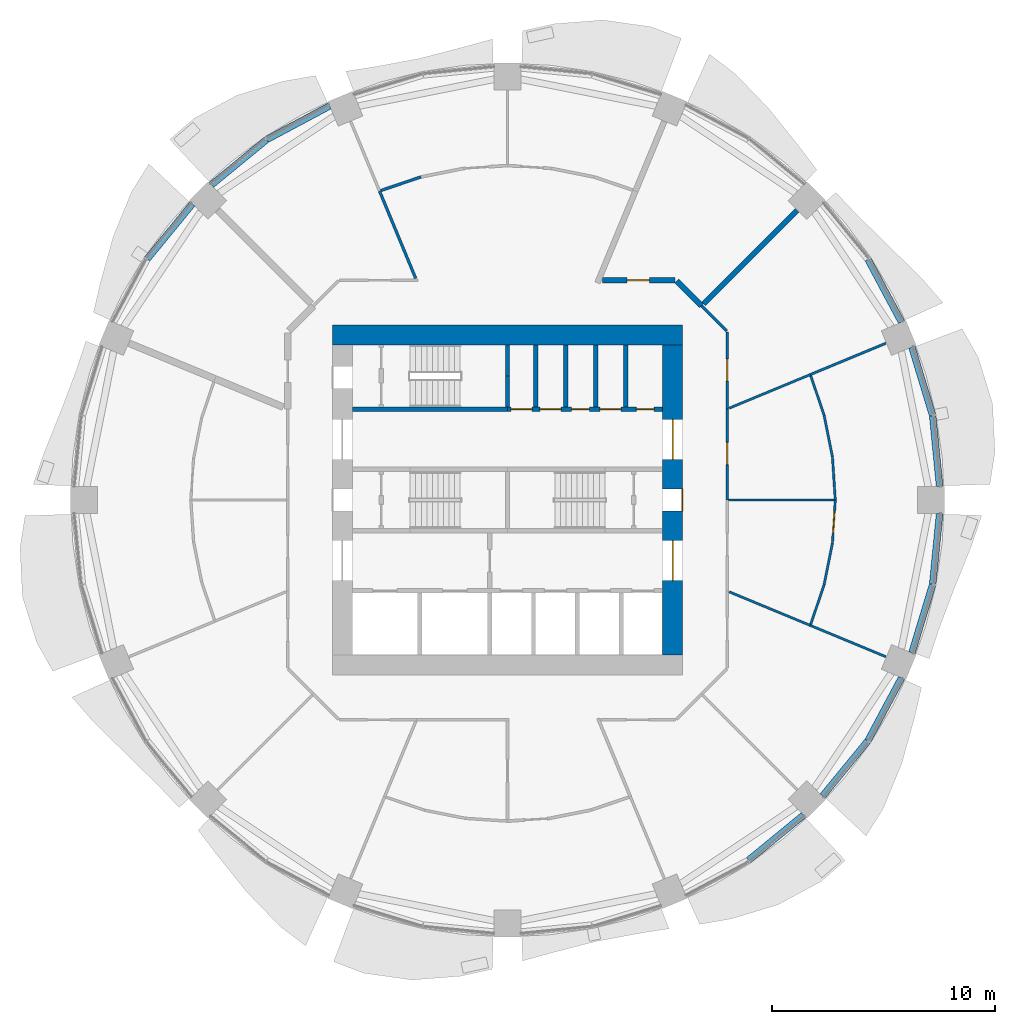
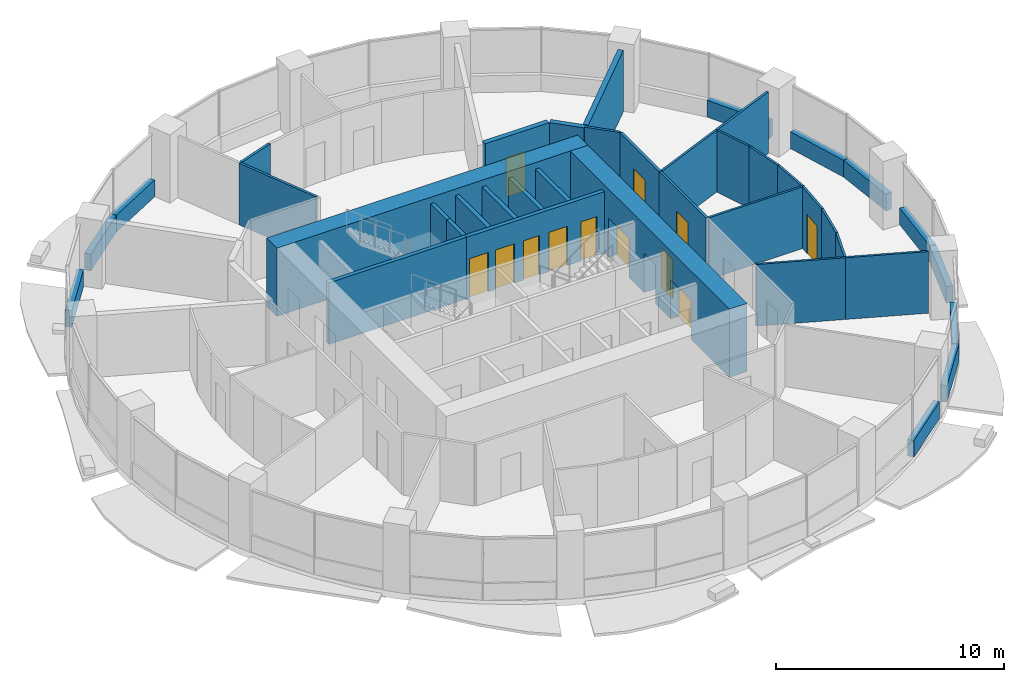
# One storey, part 10 of 15: 40 walls, 12 doors, 12 openings.
"""IFC4 building model written with IfcOpenShell, lengths in metres."""

from ifc_helpers import new_model, si_unit, direction, frame, frame_2d, origin, place, context, subcontext, project, spatial, rectangle, extrude, material, layer, layer_set, type_object, element, fill, save


model = new_model("IFC4")

# Units and contexts
model_context = context("Model", 3, precision=1e-05, world=origin(), true_north=direction((0.0, 1.0)))
body_context = subcontext(model_context, "Body", "Model", "MODEL_VIEW")
ifc_project = project(units=[si_unit("LENGTHUNIT", "METRE"), si_unit("AREAUNIT", "SQUARE_METRE"), si_unit("VOLUMEUNIT", "CUBIC_METRE"), si_unit("PLANEANGLEUNIT", "RADIAN"), si_unit("MASSUNIT", "GRAM", prefix="KILO")], contexts=[model_context])

# Site, building, storey
site_placement = place(None, origin())
site = spatial("IfcSite", under=ifc_project, at=site_placement, CompositionType="ELEMENT")
building_placement = place(site_placement, origin())
building = spatial("IfcBuilding", under=site, at=building_placement, Name="Polderwave Tower", CompositionType="ELEMENT")
storey_placement = place(building_placement, frame((0.0, 0.0, 55.39990234375)))
storey = spatial("IfcBuildingStorey", under=building, at=storey_placement, Name="L14", CompositionType="ELEMENT", Elevation=55.39990234375)

# Wall
ifc_material_1 = material(Name="Concrete C80/95", Category="concrete")
ifc_layer_1 = layer(ifc_material_1, 0.89990234375)
ifc_layer_set_1 = layer_set([ifc_layer_1], Name="CORE WALL 900 C80/95")
wall_type_1 = type_object("IfcWallType", Name="CORE WALL 900 C80/95", PredefinedType="SHEAR", material=ifc_layer_set_1)
wall_1_placement = place(storey_placement, frame((-7.8740234375, 7.424072265625, 0.0), z_axis=(0.0, 0.0, 1.0), x_axis=(1.0, 0.0, 0.0)))
element("IfcWall", 1, at=wall_1_placement, inside=storey, type_object=wall_type_1, Name="ST-CORE-L14-N", PredefinedType="SHEAR", context=body_context, shape_type="SweptSolid", body=[
    extrude(rectangle(XDim=15.748046875, YDim=0.89990234375, at=frame_2d((7.8740234375, 0.0))), origin(), (0.0, 0.0, 1.0), 3.650146484375),
])

# Wall, openings, doors
wall_2_placement = place(storey_placement, frame((7.424072265625, -6.97412109375, 0.0), z_axis=(0.0, 0.0, 1.0), x_axis=(0.0, 1.0, 0.0)))
wall_2 = element("IfcWall", 2, at=wall_2_placement, inside=storey, type_object=wall_type_1, Name="ST-CORE-L14-E", PredefinedType="SHEAR", context=body_context, shape_type="SweptSolid", body=[
    extrude(rectangle(XDim=13.9482421875, YDim=0.89990234375, at=frame_2d((6.97412109375, 0.0))), origin(), (0.0, 0.0, 1.0), 3.650146484375),
])
opening_1_placement = place(wall_2_placement, frame((6.47412109375, 0.0, 0.0)))
opening_1 = element("IfcOpeningElement", 3, at=opening_1_placement, cuts=wall_2, Name="Opening L14-D23", PredefinedType="OPENING", context=body_context, shape_type="SweptSolid", body=[
    extrude(rectangle(XDim=1.0, YDim=2.10009765625, at=frame_2d((0.5, 1.050048828125))), frame((0.0, 0.4599609375, 0.0), z_axis=(0.0, -1.0, 0.0), x_axis=(1.0, 0.0, 0.0)), (0.0, 0.0, 1.0), 0.919921875),
])
opening_2_placement = place(wall_2_placement, frame((3.349609375, 0.0, 0.0)))
opening_2 = element("IfcOpeningElement", 4, at=opening_2_placement, cuts=wall_2, Name="Opening L14-D24", PredefinedType="OPENING", context=body_context, shape_type="SweptSolid", body=[
    extrude(rectangle(XDim=1.800048828125, YDim=2.10009765625, at=frame_2d((0.89990234375, 1.050048828125))), frame((0.0, 0.4599609375, 0.0), z_axis=(0.0, -1.0, 0.0), x_axis=(1.0, 0.0, 0.0)), (0.0, 0.0, 1.0), 0.919921875),
])
opening_3_placement = place(wall_2_placement, frame((8.798583984375, 0.0, 0.0)))
opening_3 = element("IfcOpeningElement", 5, at=opening_3_placement, cuts=wall_2, Name="Opening L14-D25", PredefinedType="OPENING", context=body_context, shape_type="SweptSolid", body=[
    extrude(rectangle(XDim=1.800048828125, YDim=2.10009765625, at=frame_2d((0.89990234375, 1.050048828125))), frame((0.0, 0.4599609375, 0.0), z_axis=(0.0, -1.0, 0.0), x_axis=(1.0, 0.0, 0.0)), (0.0, 0.0, 1.0), 0.919921875),
])
ifc_material_2 = material(Name="Steel fire door", Category="steel")
door_type_1 = type_object("IfcDoorType", Name="Lobby entry door pair 1800", OperationType="DOUBLE_DOOR_SINGLE_SWING", PredefinedType="DOOR", material=ifc_material_2)
door_1_placement = place(opening_2_placement, frame((1.800048828125, 0.0, 0.0), z_axis=(0.0, 0.0, 1.0), x_axis=(-1.0, 0.0, 0.0)))
door_1 = element("IfcDoor", 6, at=door_1_placement, inside=storey, type_object=door_type_1, Name="South lobby entry door", OperationType="DOUBLE_DOOR_SINGLE_SWING", OverallHeight=2.10009765625, OverallWidth=1.800048828125, PredefinedType="DOOR", context=body_context, shape_type="SweptSolid", body=[
    extrude(rectangle(XDim=1.800048828125, YDim=2.10009765625, at=frame_2d((0.89990234375, 1.050048828125))), frame((0.0, 0.02490234375, 0.0), z_axis=(0.0, -1.0, 0.0), x_axis=(1.0, 0.0, 0.0)), (0.0, 0.0, 1.0), 0.050048828125),
])
fill(opening_2, door_1)
door_2_placement = place(opening_3_placement, frame((1.800048828125, 0.0, 0.0), z_axis=(0.0, 0.0, 1.0), x_axis=(-1.0, 0.0, 0.0)))
door_2 = element("IfcDoor", 7, at=door_2_placement, inside=storey, type_object=door_type_1, Name="North lobby entry door", OperationType="DOUBLE_DOOR_SINGLE_SWING", OverallHeight=2.10009765625, OverallWidth=1.800048828125, PredefinedType="DOOR", context=body_context, shape_type="SweptSolid", body=[
    extrude(rectangle(XDim=1.800048828125, YDim=2.10009765625, at=frame_2d((0.89990234375, 1.050048828125))), frame((0.0, 0.02490234375, 0.0), z_axis=(0.0, -1.0, 0.0), x_axis=(1.0, 0.0, 0.0)), (0.0, 0.0, 1.0), 0.050048828125),
])
fill(opening_3, door_2)
door_type_2 = type_object("IfcDoorType", Name="Stair door 1000", OperationType="NOTDEFINED", PredefinedType="DOOR", material=ifc_material_2)
door_3_placement = place(opening_1_placement, frame((1.0, 0.0, 0.0), z_axis=(0.0, 0.0, 1.0), x_axis=(-1.0, 0.0, 0.0)))
door_3 = element("IfcDoor", 8, at=door_3_placement, inside=storey, type_object=door_type_2, Name="Stair B entry door", OperationType="SINGLE_SWING_LEFT", OverallHeight=2.10009765625, OverallWidth=1.0, PredefinedType="DOOR", context=body_context, shape_type="SweptSolid", body=[
    extrude(rectangle(XDim=1.0, YDim=2.10009765625, at=frame_2d((0.5, 1.050048828125))), frame((0.0, 0.4501953125, 0.0), z_axis=(0.0, -1.0, 0.0), x_axis=(1.0, 0.0, 0.0)), (0.0, 0.0, 1.0), 0.050048828125),
])
fill(opening_1, door_3)

# Walls
ifc_material_3 = material(Name="Concrete C50/60 (board-marked)", Category="concrete")
ifc_layer_2 = layer(ifc_material_3, 0.300048828125)
ifc_layer_set_2 = layer_set([ifc_layer_2], Name="Concrete spandrel upstand C50/60")
wall_type_2 = type_object("IfcWallType", Name="Concrete spandrel upstand C50/60", PredefinedType="SOLIDWALL", material=ifc_layer_set_2)
wall_3_placement = place(storey_placement, frame((19.41943359375, 0.61279296875, 0.0), z_axis=(0.0, 0.0, 1.0), x_axis=(-0.097880808755, 0.995198144732, 0.0)))
element("IfcWall", 9, at=wall_3_placement, inside=storey, type_object=wall_type_2, Name="Spandrel L14 1a", PredefinedType="SOLIDWALL", context=body_context, shape_type="SweptSolid", body=[
    extrude(rectangle(XDim=3.187744140625, YDim=0.300048828125, at=frame_2d((1.59375, 0.0))), origin(), (0.0, 0.0, 1.0), 0.900146484375),
])
wall_4_placement = place(storey_placement, frame((19.1015625, 3.814453125, 0.0), z_axis=(0.0, 0.0, 1.0), x_axis=(-0.290585541792, 0.956849017819, 0.0)))
element("IfcWall", 10, at=wall_4_placement, inside=storey, type_object=wall_type_2, Name="Spandrel L14 1b", PredefinedType="SOLIDWALL", context=body_context, shape_type="SweptSolid", body=[
    extrude(rectangle(XDim=3.1875, YDim=0.300048828125, at=frame_2d((1.59375, 0.0))), origin(), (0.0, 0.0, 1.0), 0.900146484375),
])
for number, where, z_axis, x_axis, name in (
    (11, (17.705810546875, 7.998291015625, 0.0), (0.0, 0.0, 1.0), (-0.471260138764, 0.881994263934, 0.0), "Spandrel L14 2a"),
    (12, (-7.998291015625, 17.705810546875, 0.0), (0.0, 0.0, 1.0), (-0.881994263934, -0.471260138764, 0.0), "Spandrel L14 6a"),
):
    element("IfcWall", number, at=place(storey_placement, frame(where, z_axis=z_axis, x_axis=x_axis)), inside=storey, type_object=wall_type_2, Name=name, PredefinedType="SOLIDWALL", context=body_context, shape_type="SweptSolid", body=[
        extrude(rectangle(XDim=3.1865234375, YDim=0.300048828125, at=frame_2d((1.59326171875, 0.0))), origin(), (0.0, 0.0, 1.0), 0.900146484375),
    ])
for number, where, z_axis, x_axis, name in (
    (13, (-10.83349609375, 16.1875, 0.0), (0.0, 0.0, 1.0), (-0.773144618958, -0.634229767652, 0.0), "Spandrel L14 6b"),
    (14, (-14.16552734375, 13.29833984375, 0.0), (0.0, 0.0, 1.0), (-0.634229767652, -0.773144618958, 0.0), "Spandrel L14 7a"),
    (15, (10.83349609375, -16.1875, 0.0), (0.0, 0.0, 1.0), (0.773144618958, 0.634229767652, 0.0), "Spandrel L14 14b"),
    (16, (14.16552734375, -13.29833984375, 0.0), (0.0, 0.0, 1.0), (0.634229767652, 0.773144618958, 0.0), "Spandrel L14 15a"),
):
    element("IfcWall", number, at=place(storey_placement, frame(where, z_axis=z_axis, x_axis=x_axis)), inside=storey, type_object=wall_type_2, Name=name, PredefinedType="SOLIDWALL", context=body_context, shape_type="SweptSolid", body=[
        extrude(rectangle(XDim=3.18798828125, YDim=0.300048828125, at=frame_2d((1.593994140625, 0.0))), origin(), (0.0, 0.0, 1.0), 0.900146484375),
    ])
wall_5_placement = place(storey_placement, frame((16.2041015625, -10.808837890625, 0.0), z_axis=(0.0, 0.0, 1.0), x_axis=(0.471260138764, 0.881994263934, 0.0)))
element("IfcWall", 17, at=wall_5_placement, inside=storey, type_object=wall_type_2, Name="Spandrel L14 15b", PredefinedType="SOLIDWALL", context=body_context, shape_type="SweptSolid", body=[
    extrude(rectangle(XDim=3.1865234375, YDim=0.300048828125, at=frame_2d((1.59326171875, 0.0))), origin(), (0.0, 0.0, 1.0), 0.900146484375),
])
wall_6_placement = place(storey_placement, frame((18.17529296875, -6.864501953125, 0.0), z_axis=(0.0, 0.0, 1.0), x_axis=(0.290585541792, 0.956849017819, 0.0)))
element("IfcWall", 18, at=wall_6_placement, inside=storey, type_object=wall_type_2, Name="Spandrel L14 16a", PredefinedType="SOLIDWALL", context=body_context, shape_type="SweptSolid", body=[
    extrude(rectangle(XDim=3.1875, YDim=0.300048828125, at=frame_2d((1.59375, 0.0))), origin(), (0.0, 0.0, 1.0), 0.900146484375),
])
wall_7_placement = place(storey_placement, frame((19.107421875, -3.78515625, 0.0), z_axis=(0.0, 0.0, 1.0), x_axis=(0.097880808755, 0.995198144732, 0.0)))
element("IfcWall", 19, at=wall_7_placement, inside=storey, type_object=wall_type_2, Name="Spandrel L14 16b", PredefinedType="SOLIDWALL", context=body_context, shape_type="SweptSolid", body=[
    extrude(rectangle(XDim=3.187744140625, YDim=0.300048828125, at=frame_2d((1.59375, 0.0))), origin(), (0.0, 0.0, 1.0), 0.900146484375),
])
ifc_material_4 = material(Name="Gypsum board partition")
ifc_layer_3 = layer(ifc_material_4, 0.199951171875)
ifc_layer_set_3 = layer_set([ifc_layer_3], Name="Core room partition 200")
wall_type_3 = type_object("IfcWallType", Name="Core room partition 200", PredefinedType="PARTITIONING", material=ifc_layer_set_3)
for number, where, z_axis, x_axis, name in (
    (20, (1.260009765625, 4.174072265625, 0.0), (0.0, 0.0, 1.0), (0.0, 1.0, 0.0), "L14 room partition N1"),
    (21, (2.608642578125, 4.174072265625, 0.0), (0.0, 0.0, 1.0), (0.0, 1.0, 0.0), "L14 room partition N2"),
    (22, (3.95703125, 4.174072265625, 0.0), (0.0, 0.0, 1.0), (0.0, 1.0, 0.0), "L14 room partition N3"),
):
    element("IfcWall", number, at=place(storey_placement, frame(where, z_axis=z_axis, x_axis=x_axis)), inside=storey, type_object=wall_type_3, Name=name, PredefinedType="PARTITIONING", context=body_context, shape_type="SweptSolid", body=[
        extrude(rectangle(XDim=2.800048828125, YDim=0.199951171875, at=frame_2d((1.39990234375, 0.0))), origin(), (0.0, 0.0, 1.0), 3.300048828125),
    ])
ifc_material_5 = material(Name="Concrete C50/60", Category="concrete")
ifc_layer_4 = layer(ifc_material_5, 0.199951171875)
ifc_layer_set_4 = layer_set([ifc_layer_4], Name="Core web wall 200")
wall_type_4 = type_object("IfcWallType", Name="Core web wall 200", PredefinedType="SHEAR", material=ifc_layer_set_4)
wall_8_placement = place(storey_placement, frame((-6.97412109375, 4.073974609375, 0.0), z_axis=(0.0, 0.0, 1.0), x_axis=(1.0, 0.0, 0.0)))
element("IfcWall", 23, at=wall_8_placement, inside=storey, type_object=wall_type_4, Name="L14 north front wall 1", PredefinedType="SHEAR", context=body_context, shape_type="SweptSolid", body=[
    extrude(rectangle(XDim=6.97412109375, YDim=0.199951171875, at=frame_2d((3.487060546875, 0.0))), origin(), (0.0, 0.0, 1.0), 3.300048828125),
])

# Wall, openings, doors
wall_9_placement = place(storey_placement, frame((0.0, 4.073974609375, 0.0), z_axis=(0.0, 0.0, 1.0), x_axis=(1.0, 0.0, 0.0)))
wall_9 = element("IfcWall", 24, at=wall_9_placement, inside=storey, type_object=wall_type_4, Name="L14 north front wall 2", PredefinedType="SHEAR", context=body_context, shape_type="SweptSolid", body=[
    extrude(rectangle(XDim=6.97412109375, YDim=0.199951171875, at=frame_2d((3.487060546875, 0.0))), origin(), (0.0, 0.0, 1.0), 3.300048828125),
])
opening_4_placement = place(wall_9_placement, frame((0.155029296875, 0.0, 0.0)))
opening_4 = element("IfcOpeningElement", 25, at=opening_4_placement, cuts=wall_9, Name="Opening L14-D14", PredefinedType="OPENING", context=body_context, shape_type="SweptSolid", body=[
    extrude(rectangle(XDim=0.949951171875, YDim=2.10009765625, at=frame_2d((0.47509765625, 1.050048828125))), frame((0.0, 0.10986328125, 0.0), z_axis=(0.0, -1.0, 0.0), x_axis=(1.0, 0.0, 0.0)), (0.0, 0.0, 1.0), 0.219970703125),
])
opening_5_placement = place(wall_9_placement, frame((1.459228515625, 0.0, 0.0)))
opening_5 = element("IfcOpeningElement", 26, at=opening_5_placement, cuts=wall_9, Name="Opening L14-D15", PredefinedType="OPENING", context=body_context, shape_type="SweptSolid", body=[
    extrude(rectangle(XDim=0.949951171875, YDim=2.10009765625, at=frame_2d((0.47509765625, 1.050048828125))), frame((0.0, 0.10986328125, 0.0), z_axis=(0.0, -1.0, 0.0), x_axis=(1.0, 0.0, 0.0)), (0.0, 0.0, 1.0), 0.219970703125),
])
opening_6_placement = place(wall_9_placement, frame((2.8828125, 0.0, 0.0)))
opening_6 = element("IfcOpeningElement", 27, at=opening_6_placement, cuts=wall_9, Name="Opening L14-D16", PredefinedType="OPENING", context=body_context, shape_type="SweptSolid", body=[
    extrude(rectangle(XDim=0.800048828125, YDim=2.10009765625, at=frame_2d((0.39990234375, 1.050048828125))), frame((0.0, 0.10986328125, 0.0), z_axis=(0.0, -1.0, 0.0), x_axis=(1.0, 0.0, 0.0)), (0.0, 0.0, 1.0), 0.219970703125),
])
opening_7_placement = place(wall_9_placement, frame((4.15625, 0.0, 0.0)))
opening_7 = element("IfcOpeningElement", 28, at=opening_7_placement, cuts=wall_9, Name="Opening L14-D17", PredefinedType="OPENING", context=body_context, shape_type="SweptSolid", body=[
    extrude(rectangle(XDim=0.949951171875, YDim=2.10009765625, at=frame_2d((0.47509765625, 1.050048828125))), frame((0.0, 0.10986328125, 0.0), z_axis=(0.0, -1.0, 0.0), x_axis=(1.0, 0.0, 0.0)), (0.0, 0.0, 1.0), 0.219970703125),
])
opening_8_placement = place(wall_9_placement, frame((5.789794921875, 0.0, 0.0)))
opening_8 = element("IfcOpeningElement", 29, at=opening_8_placement, cuts=wall_9, Name="Opening L14-D18", PredefinedType="OPENING", context=body_context, shape_type="SweptSolid", body=[
    extrude(rectangle(XDim=0.800048828125, YDim=2.10009765625, at=frame_2d((0.39990234375, 1.050048828125))), frame((0.0, 0.10986328125, 0.0), z_axis=(0.0, -1.0, 0.0), x_axis=(1.0, 0.0, 0.0)), (0.0, 0.0, 1.0), 0.219970703125),
])
door_type_3 = type_object("IfcDoorType", Name="Riser door 800", OperationType="NOTDEFINED", PredefinedType="DOOR", material=ifc_material_2)
door_4_placement = place(opening_6_placement, frame((0.800048828125, 0.0, 0.0), z_axis=(0.0, 0.0, 1.0), x_axis=(-1.0, 0.0, 0.0)))
door_4 = element("IfcDoor", 30, at=door_4_placement, inside=storey, type_object=door_type_3, Name="Electrical room door", OperationType="SINGLE_SWING_RIGHT", OverallHeight=2.10009765625, OverallWidth=0.800048828125, PredefinedType="DOOR", context=body_context, shape_type="SweptSolid", body=[
    extrude(rectangle(XDim=0.800048828125, YDim=2.10009765625, at=frame_2d((0.39990234375, 1.050048828125))), frame((0.0, 0.02490234375, 0.0), z_axis=(0.0, -1.0, 0.0), x_axis=(1.0, 0.0, 0.0)), (0.0, 0.0, 1.0), 0.050048828125),
])
fill(opening_6, door_4)
door_5_placement = place(opening_8_placement, frame((0.800048828125, 0.0, 0.0), z_axis=(0.0, 0.0, 1.0), x_axis=(-1.0, 0.0, 0.0)))
door_5 = element("IfcDoor", 31, at=door_5_placement, inside=storey, type_object=door_type_3, Name="Riser door", OperationType="SINGLE_SWING_LEFT", OverallHeight=2.10009765625, OverallWidth=0.800048828125, PredefinedType="DOOR", context=body_context, shape_type="SweptSolid", body=[
    extrude(rectangle(XDim=0.800048828125, YDim=2.10009765625, at=frame_2d((0.39990234375, 1.050048828125))), frame((0.0, 0.02490234375, 0.0), z_axis=(0.0, -1.0, 0.0), x_axis=(1.0, 0.0, 0.0)), (0.0, 0.0, 1.0), 0.050048828125),
])
fill(opening_8, door_5)
ifc_material_6 = material(Name="Timber door leaf", Category="wood")
door_type_4 = type_object("IfcDoorType", Name="Room door 950", OperationType="NOTDEFINED", PredefinedType="DOOR", material=ifc_material_6)
door_6_placement = place(opening_4_placement, origin())
door_6 = element("IfcDoor", 32, at=door_6_placement, inside=storey, type_object=door_type_4, Name="Staff WC door", OperationType="SINGLE_SWING_LEFT", OverallHeight=2.10009765625, OverallWidth=0.949951171875, PredefinedType="DOOR", context=body_context, shape_type="SweptSolid", body=[
    extrude(rectangle(XDim=0.949951171875, YDim=2.10009765625, at=frame_2d((0.47509765625, 1.050048828125))), frame((0.0, 0.02490234375, 0.0), z_axis=(0.0, -1.0, 0.0), x_axis=(1.0, 0.0, 0.0)), (0.0, 0.0, 1.0), 0.050048828125),
])
fill(opening_4, door_6)
door_7_placement = place(opening_5_placement, origin())
door_7 = element("IfcDoor", 33, at=door_7_placement, inside=storey, type_object=door_type_4, Name="Refuse store door", OperationType="SINGLE_SWING_LEFT", OverallHeight=2.10009765625, OverallWidth=0.949951171875, PredefinedType="DOOR", context=body_context, shape_type="SweptSolid", body=[
    extrude(rectangle(XDim=0.949951171875, YDim=2.10009765625, at=frame_2d((0.47509765625, 1.050048828125))), frame((0.0, 0.02490234375, 0.0), z_axis=(0.0, -1.0, 0.0), x_axis=(1.0, 0.0, 0.0)), (0.0, 0.0, 1.0), 0.050048828125),
])
fill(opening_5, door_7)
door_8_placement = place(opening_7_placement, origin())
door_8 = element("IfcDoor", 34, at=door_8_placement, inside=storey, type_object=door_type_4, Name="Seed store door", OperationType="SINGLE_SWING_RIGHT", OverallHeight=2.10009765625, OverallWidth=0.949951171875, PredefinedType="DOOR", context=body_context, shape_type="SweptSolid", body=[
    extrude(rectangle(XDim=0.949951171875, YDim=2.10009765625, at=frame_2d((0.47509765625, 1.050048828125))), frame((0.0, 0.02490234375, 0.0), z_axis=(0.0, -1.0, 0.0), x_axis=(1.0, 0.0, 0.0)), (0.0, 0.0, 1.0), 0.050048828125),
])
fill(opening_7, door_8)

# Walls
wall_10_placement = place(storey_placement, frame((0.0, 4.174072265625, 0.0), z_axis=(0.0, 0.0, 1.0), x_axis=(0.0, 1.0, 0.0)))
element("IfcWall", 35, at=wall_10_placement, inside=storey, type_object=wall_type_4, Name="L14 stair C wall south", PredefinedType="SHEAR", context=body_context, shape_type="SweptSolid", body=[
    extrude(rectangle(XDim=1.39990234375, YDim=0.199951171875, at=frame_2d((0.699951171875, 0.0))), origin(), (0.0, 0.0, 1.0), 3.300048828125),
])
wall_11_placement = place(storey_placement, frame((0.0, 5.573974609375, 0.0), z_axis=(0.0, 0.0, 1.0), x_axis=(0.0, 1.0, 0.0)))
element("IfcWall", 36, at=wall_11_placement, inside=storey, type_object=wall_type_4, Name="L14 stair C wall north", PredefinedType="SHEAR", context=body_context, shape_type="SweptSolid", body=[
    extrude(rectangle(XDim=1.400146484375, YDim=0.199951171875, at=frame_2d((0.7001953125, 0.0))), origin(), (0.0, 0.0, 1.0), 3.300048828125),
])

# Wall, opening, door
ifc_material_7 = material(Name="Fire-resisting board on steel studs", Category="steel")
ifc_layer_5 = layer(ifc_material_7, 0.125)
ifc_layer_set_5 = layer_set([ifc_layer_5], Name="Corridor wall 125 mm EI 60")
wall_type_5 = type_object("IfcWallType", Name="Corridor wall 125 mm EI 60", PredefinedType="PARTITIONING", material=ifc_layer_set_5)
wall_12_placement = place(storey_placement, frame((9.8740234375, 4.08984375, 0.0), z_axis=(0.0, 0.0, 1.0), x_axis=(0.0, -1.0, 0.0)))
wall_12 = element("IfcWall", 37, at=wall_12_placement, inside=storey, type_object=wall_type_5, Name="IN-L14-W001", PredefinedType="PARTITIONING", context=body_context, shape_type="SweptSolid", body=[
    extrude(rectangle(XDim=4.08984375, YDim=0.125, at=frame_2d((2.044921875, 0.0))), origin(), (0.0, 0.0, 1.0), 3.300048828125),
])
opening_9_placement = place(wall_12_placement, frame((1.5, 0.0, 0.0)))
opening_9 = element("IfcOpeningElement", 38, at=opening_9_placement, cuts=wall_12, Name="Opening L14-D50", PredefinedType="OPENING", context=body_context, shape_type="SweptSolid", body=[
    extrude(rectangle(XDim=1.0, YDim=2.10009765625, at=frame_2d((0.5, 1.050048828125))), frame((0.0, 0.072509765625, 0.0), z_axis=(0.0, -1.0, 0.0), x_axis=(1.0, 0.0, 0.0)), (0.0, 0.0, 1.0), 0.14501953125),
])
ifc_material_8 = material(Name="Timber fire door leaf", Category="wood")
door_type_5 = type_object("IfcDoorType", Name="Fire door FD30S 1000 x 2100", OperationType="NOTDEFINED", PredefinedType="DOOR", material=ifc_material_8)
door_9_placement = place(opening_9_placement, origin())
door_9 = element("IfcDoor", 39, at=door_9_placement, inside=storey, type_object=door_type_5, Name="Door L14-D50", OperationType="SINGLE_SWING_LEFT", OverallHeight=2.10009765625, OverallWidth=1.0, PredefinedType="DOOR", context=body_context, shape_type="SweptSolid", body=[
    extrude(rectangle(XDim=1.0, YDim=2.10009765625, at=frame_2d((0.5, 1.050048828125))), frame((0.0, 0.02490234375, 0.0), z_axis=(0.0, -1.0, 0.0), x_axis=(1.0, 0.0, 0.0)), (0.0, 0.0, 1.0), 0.050048828125),
])
fill(opening_9, door_9)

# Wall
wall_13_placement = place(storey_placement, frame((8.722412109375, 8.722412109375, 0.0), z_axis=(0.0, 0.0, 1.0), x_axis=(0.70718294931, -0.707030604857, 0.0)))
element("IfcWall", 40, at=wall_13_placement, inside=storey, type_object=wall_type_5, Name="IN-L14-W002", PredefinedType="PARTITIONING", context=body_context, shape_type="SweptSolid", body=[
    extrude(rectangle(XDim=1.6025390625, YDim=0.125, at=frame_2d((0.80126953125, 0.0))), origin(), (0.0, 0.0, 1.0), 3.300048828125),
])

# Wall, opening, door
wall_14_placement = place(storey_placement, frame((9.8740234375, 7.545166015625, 0.0), z_axis=(0.0, 0.0, 1.0), x_axis=(0.0, -1.0, 0.0)))
wall_14 = element("IfcWall", 41, at=wall_14_placement, inside=storey, type_object=wall_type_5, Name="IN-L14-W003", PredefinedType="PARTITIONING", context=body_context, shape_type="SweptSolid", body=[
    extrude(rectangle(XDim=3.455322265625, YDim=0.125, at=frame_2d((1.7275390625, 0.0))), origin(), (0.0, 0.0, 1.0), 3.300048828125),
])
opening_10_placement = place(wall_14_placement, frame((1.199951171875, 0.0, 0.0)))
opening_10 = element("IfcOpeningElement", 42, at=opening_10_placement, cuts=wall_14, Name="Opening L14-D51", PredefinedType="OPENING", context=body_context, shape_type="SweptSolid", body=[
    extrude(rectangle(XDim=1.0, YDim=2.10009765625, at=frame_2d((0.5, 1.050048828125))), frame((0.0, 0.072509765625, 0.0), z_axis=(0.0, -1.0, 0.0), x_axis=(1.0, 0.0, 0.0)), (0.0, 0.0, 1.0), 0.14501953125),
])
door_10_placement = place(opening_10_placement, origin())
door_10 = element("IfcDoor", 43, at=door_10_placement, inside=storey, type_object=door_type_5, Name="Door L14-D51", OperationType="SINGLE_SWING_LEFT", OverallHeight=2.10009765625, OverallWidth=1.0, PredefinedType="DOOR", context=body_context, shape_type="SweptSolid", body=[
    extrude(rectangle(XDim=1.0, YDim=2.10009765625, at=frame_2d((0.5, 1.050048828125))), frame((0.0, 0.02490234375, 0.0), z_axis=(0.0, -1.0, 0.0), x_axis=(1.0, 0.0, 0.0)), (0.0, 0.0, 1.0), 0.050048828125),
])
fill(opening_10, door_10)

# Walls
wall_15_placement = place(storey_placement, frame((-5.6884765625, 13.907470703125, 0.0), z_axis=(0.0, 0.0, 1.0), x_axis=(0.946929690395, 0.321440758848, 0.0)))
element("IfcWall", 44, at=wall_15_placement, inside=storey, type_object=wall_type_5, Name="IN-L14-W039", PredefinedType="PARTITIONING", context=body_context, shape_type="SweptSolid", body=[
    extrude(rectangle(XDim=1.89501953125, YDim=0.125, at=frame_2d((0.947509765625, 0.0))), origin(), (0.0, 0.0, 1.0), 3.300048828125),
])
wall_16_placement = place(storey_placement, frame((-4.125732421875, 9.96044921875, 0.0), z_axis=(0.0, 0.0, 1.0), x_axis=(-0.382676572561, 0.923882373905, 0.0)))
element("IfcWall", 45, at=wall_16_placement, inside=storey, type_object=wall_type_5, Name="IN-L14-W042", PredefinedType="PARTITIONING", context=body_context, shape_type="SweptSolid", body=[
    extrude(rectangle(XDim=4.2490234375, YDim=0.125, at=frame_2d((2.12451171875, 0.0))), origin(), (0.0, 0.0, 1.0), 3.300048828125),
])
ifc_material_9 = material(Name="Moisture-resistant board on steel studs, tiled", Category="steel")
ifc_layer_6 = layer(ifc_material_9, 0.10498046875)
ifc_layer_set_6 = layer_set([ifc_layer_6], Name="Partition 105 mm wet room board and tile")
wall_type_6 = type_object("IfcWallType", Name="Partition 105 mm wet room board and tile", PredefinedType="PARTITIONING", material=ifc_layer_set_6)
wall_17_placement = place(storey_placement, frame((14.22705078125, 3.815673828125, 0.0), z_axis=(0.0, 0.0, 1.0), x_axis=(-0.321447308071, 0.946927467198, 0.0)))
element("IfcWall", 46, at=wall_17_placement, inside=storey, type_object=wall_type_6, Name="IN-L14-W022", PredefinedType="PARTITIONING", context=body_context, shape_type="SweptSolid", body=[
    extrude(rectangle(XDim=1.864501953125, YDim=0.10498046875, at=frame_2d((0.93212890625, 0.0))), origin(), (0.0, 0.0, 1.0), 3.300048828125),
])
wall_18_placement = place(storey_placement, frame((14.603271484375, 1.926025390625, 0.0), z_axis=(0.0, 0.0, 1.0), x_axis=(-0.195064501273, 0.980790416115, 0.0)))
element("IfcWall", 47, at=wall_18_placement, inside=storey, type_object=wall_type_6, Name="IN-L14-W023", PredefinedType="PARTITIONING", context=body_context, shape_type="SweptSolid", body=[
    extrude(rectangle(XDim=1.919921875, YDim=0.10498046875, at=frame_2d((0.9599609375, 0.0))), origin(), (0.0, 0.0, 1.0), 3.300048828125),
])
wall_19_placement = place(storey_placement, frame((14.72998046875, 0.0, 0.0), z_axis=(0.0, 0.0, 1.0), x_axis=(-0.065373153171, 0.997860887521, 0.0)))
element("IfcWall", 48, at=wall_19_placement, inside=storey, type_object=wall_type_6, Name="IN-L14-W024", PredefinedType="PARTITIONING", context=body_context, shape_type="SweptSolid", body=[
    extrude(rectangle(XDim=1.92333984375, YDim=0.10498046875, at=frame_2d((0.961669921875, 0.0))), origin(), (0.0, 0.0, 1.0), 3.300048828125),
])
wall_20_placement = place(storey_placement, frame((16.99951171875, -7.04150390625, 0.0), z_axis=(0.0, 0.0, 1.0), x_axis=(-0.923870076355, 0.382706260748, 0.0)))
element("IfcWall", 49, at=wall_20_placement, inside=storey, type_object=wall_type_6, Name="IN-L14-W026", PredefinedType="PARTITIONING", context=body_context, shape_type="SweptSolid", body=[
    extrude(rectangle(XDim=3.669921875, YDim=0.10498046875, at=frame_2d((1.8349609375, 0.0))), origin(), (0.0, 0.0, 1.0), 3.300048828125),
])
wall_21_placement = place(storey_placement, frame((13.626708984375, -5.583740234375, 0.0), z_axis=(0.0, 0.0, 1.0), x_axis=(0.321518280944, 0.946903371532, 0.0)))
element("IfcWall", 50, at=wall_21_placement, inside=storey, type_object=wall_type_6, Name="IN-L14-W027", PredefinedType="PARTITIONING", context=body_context, shape_type="SweptSolid", body=[
    extrude(rectangle(XDim=1.8671875, YDim=0.10498046875, at=frame_2d((0.93359375, 0.0))), origin(), (0.0, 0.0, 1.0), 3.300048828125),
])
wall_22_placement = place(storey_placement, frame((14.228759765625, -3.80908203125, 0.0), z_axis=(0.0, 0.0, 1.0), x_axis=(0.195064501273, 0.980790416115, 0.0)))
element("IfcWall", 51, at=wall_22_placement, inside=storey, type_object=wall_type_6, Name="IN-L14-W028", PredefinedType="PARTITIONING", context=body_context, shape_type="SweptSolid", body=[
    extrude(rectangle(XDim=1.919921875, YDim=0.10498046875, at=frame_2d((0.9599609375, 0.0))), origin(), (0.0, 0.0, 1.0), 3.300048828125),
])

# Wall, opening, door
wall_23_placement = place(storey_placement, frame((14.72998046875, 0.0, 0.0), z_axis=(0.0, 0.0, 1.0), x_axis=(-0.065373153171, -0.997860887521, 0.0)))
wall_23 = element("IfcWall", 52, at=wall_23_placement, inside=storey, type_object=wall_type_6, Name="IN-L14-W029", PredefinedType="PARTITIONING", context=body_context, shape_type="SweptSolid", body=[
    extrude(rectangle(XDim=1.92333984375, YDim=0.10498046875, at=frame_2d((0.961669921875, 0.0))), origin(), (0.0, 0.0, 1.0), 3.300048828125),
])
opening_11_placement = place(wall_23_placement, frame((0.5, 0.0, 0.0)))
opening_11 = element("IfcOpeningElement", 53, at=opening_11_placement, cuts=wall_23, Name="Opening L14-D62", PredefinedType="OPENING", context=body_context, shape_type="SweptSolid", body=[
    extrude(rectangle(XDim=1.0, YDim=2.10009765625, at=frame_2d((0.5, 1.050048828125))), frame((0.0, 0.0625, 0.0), z_axis=(0.0, -1.0, 0.0), x_axis=(1.0, 0.0, 0.0)), (0.0, 0.0, 1.0), 0.125),
])
ifc_material_10 = material(Name="Timber veneer door leaf", Category="wood")
door_type_6 = type_object("IfcDoorType", Name="Single door 1000 x 2100", OperationType="NOTDEFINED", PredefinedType="DOOR", material=ifc_material_10)
door_11_placement = place(opening_11_placement, origin())
door_11 = element("IfcDoor", 54, at=door_11_placement, inside=storey, type_object=door_type_6, Name="Door L14-D62", OperationType="SINGLE_SWING_RIGHT", OverallHeight=2.10009765625, OverallWidth=1.0, PredefinedType="DOOR", context=body_context, shape_type="SweptSolid", body=[
    extrude(rectangle(XDim=1.0, YDim=2.10009765625, at=frame_2d((0.5, 1.050048828125))), frame((0.0, 0.02490234375, 0.0), z_axis=(0.0, -1.0, 0.0), x_axis=(1.0, 0.0, 0.0)), (0.0, 0.0, 1.0), 0.050048828125),
])
fill(opening_11, door_11)

# Walls
wall_24_placement = place(storey_placement, frame((9.95654296875, 4.1240234375, 0.0), z_axis=(0.0, 0.0, 1.0), x_axis=(0.923862514877, 0.382724513985, 0.0)))
element("IfcWall", 55, at=wall_24_placement, inside=storey, type_object=wall_type_6, Name="IN-L14-W030", PredefinedType="PARTITIONING", context=body_context, shape_type="SweptSolid", body=[
    extrude(rectangle(XDim=3.953125, YDim=0.10498046875, at=frame_2d((1.9765625, 0.0))), origin(), (0.0, 0.0, 1.0), 3.300048828125),
])
wall_25_placement = place(storey_placement, frame((14.673828125, 0.0, 0.0), z_axis=(0.0, 0.0, 1.0), x_axis=(-1.0, 0.0, 0.0)))
element("IfcWall", 56, at=wall_25_placement, inside=storey, type_object=wall_type_6, Name="IN-L14-W031", PredefinedType="PARTITIONING", context=body_context, shape_type="SweptSolid", body=[
    extrude(rectangle(XDim=4.7373046875, YDim=0.10498046875, at=frame_2d((2.36865234375, 0.0))), origin(), (0.0, 0.0, 1.0), 3.300048828125),
])
wall_26_placement = place(storey_placement, frame((9.95654296875, -4.1240234375, 0.0), z_axis=(0.0, 0.0, 1.0), x_axis=(0.923871560536, -0.38270267785, 0.0)))
element("IfcWall", 57, at=wall_26_placement, inside=storey, type_object=wall_type_6, Name="IN-L14-W069", PredefinedType="PARTITIONING", context=body_context, shape_type="SweptSolid", body=[
    extrude(rectangle(XDim=3.953369140625, YDim=0.10498046875, at=frame_2d((1.9765625, 0.0))), origin(), (0.0, 0.0, 1.0), 3.300048828125),
])
ifc_material_11 = material(Name="Acoustic double plasterboard on steel studs", Category="steel")
ifc_layer_7 = layer(ifc_material_11, 0.110107421875)
ifc_layer_set_7 = layer_set([ifc_layer_7], Name="Partition 110 mm acoustic double board")
wall_type_7 = type_object("IfcWallType", Name="Partition 110 mm acoustic double board", PredefinedType="PARTITIONING", material=ifc_layer_set_7)
wall_27_placement = place(storey_placement, frame((13.60888671875, 5.636962890625, 0.0), z_axis=(0.0, 0.0, 1.0), x_axis=(0.923870076355, 0.382706260748, 0.0)))
element("IfcWall", 58, at=wall_27_placement, inside=storey, type_object=wall_type_7, Name="IN-L14-W025", PredefinedType="PARTITIONING", context=body_context, shape_type="SweptSolid", body=[
    extrude(rectangle(XDim=3.669921875, YDim=0.110107421875, at=frame_2d((1.8349609375, 0.0))), origin(), (0.0, 0.0, 1.0), 3.300048828125),
])

# Wall, opening, door
ifc_material_12 = material(Name="Fire-resisting board on steel studs, mineral wool", Category="steel")
ifc_layer_8 = layer(ifc_material_12, 0.25)
ifc_layer_set_8 = layer_set([ifc_layer_8], Name="Plant room wall 250 mm EI 120")
wall_type_8 = type_object("IfcWallType", Name="Plant room wall 250 mm EI 120", PredefinedType="PARTITIONING", material=ifc_layer_set_8)
wall_28_placement = place(storey_placement, frame((4.277099609375, 9.8740234375, 0.0), z_axis=(0.0, 0.0, 1.0), x_axis=(1.0, 0.0, 0.0)))
wall_28 = element("IfcWall", 59, at=wall_28_placement, inside=storey, type_object=wall_type_8, Name="IN-L14-W007", PredefinedType="PARTITIONING", context=body_context, shape_type="SweptSolid", body=[
    extrude(rectangle(XDim=3.2421875, YDim=0.25, at=frame_2d((1.62109375, 0.0))), origin(), (0.0, 0.0, 1.0), 3.300048828125),
])
opening_12_placement = place(wall_28_placement, frame((1.10009765625, 0.0, 0.0)))
opening_12 = element("IfcOpeningElement", 60, at=opening_12_placement, cuts=wall_28, Name="Opening L14-D54", PredefinedType="OPENING", context=body_context, shape_type="SweptSolid", body=[
    extrude(rectangle(XDim=1.0, YDim=2.10009765625, at=frame_2d((0.5, 1.050048828125))), frame((0.0, 0.135009765625, 0.0), z_axis=(0.0, -1.0, 0.0), x_axis=(1.0, 0.0, 0.0)), (0.0, 0.0, 1.0), 0.27001953125),
])
ifc_material_13 = material(Name="Steel plant door leaf", Category="steel")
door_type_7 = type_object("IfcDoorType", Name="Plant door FD60 1000 x 2100 steel", OperationType="NOTDEFINED", PredefinedType="DOOR", material=ifc_material_13)
door_12_placement = place(opening_12_placement, origin())
door_12 = element("IfcDoor", 61, at=door_12_placement, inside=storey, type_object=door_type_7, Name="Door L14-D54", OperationType="SINGLE_SWING_LEFT", OverallHeight=2.10009765625, OverallWidth=1.0, PredefinedType="DOOR", context=body_context, shape_type="SweptSolid", body=[
    extrude(rectangle(XDim=1.0, YDim=2.10009765625, at=frame_2d((0.5, 1.050048828125))), frame((0.0, 0.02490234375, 0.0), z_axis=(0.0, -1.0, 0.0), x_axis=(1.0, 0.0, 0.0)), (0.0, 0.0, 1.0), 0.050048828125),
])
fill(opening_12, door_12)

# Walls
wall_29_placement = place(storey_placement, frame((7.607666015625, 9.83740234375, 0.0), z_axis=(0.0, 0.0, 1.0), x_axis=(0.707029353672, -0.707184200224, 0.0)))
element("IfcWall", 62, at=wall_29_placement, inside=storey, type_object=wall_type_8, Name="IN-L14-W008", PredefinedType="PARTITIONING", context=body_context, shape_type="SweptSolid", body=[
    extrude(rectangle(XDim=1.57666015625, YDim=0.25, at=frame_2d((0.788330078125, 0.0))), origin(), (0.0, 0.0, 1.0), 3.300048828125),
])
wall_30_placement = place(storey_placement, frame((13.0107421875, 13.0107421875, 0.0), z_axis=(0.0, 0.0, 1.0), x_axis=(-0.707106781187, -0.707106781187, 0.0)))
element("IfcWall", 63, at=wall_30_placement, inside=storey, type_object=wall_type_8, Name="IN-L14-W032", PredefinedType="PARTITIONING", context=body_context, shape_type="SweptSolid", body=[
    extrude(rectangle(XDim=5.939697265625, YDim=0.25, at=frame_2d((2.9697265625, 0.0))), origin(), (0.0, 0.0, 1.0), 3.300048828125),
])
ifc_material_14 = material(Name="Gypsum shaft wall system")
ifc_layer_9 = layer(ifc_material_14, 0.199951171875)
ifc_layer_set_9 = layer_set([ifc_layer_9], Name="Shaft wall 200")
wall_type_9 = type_object("IfcWallType", Name="Shaft wall 200", PredefinedType="PARTITIONING", material=ifc_layer_set_9)
wall_31_placement = place(storey_placement, frame((5.305419921875, 4.174072265625, 0.0), z_axis=(0.0, 0.0, 1.0), x_axis=(0.0, 1.0, 0.0)))
element("IfcWall", 64, at=wall_31_placement, inside=storey, type_object=wall_type_9, Name="L14 riser wall", PredefinedType="PARTITIONING", context=body_context, shape_type="SweptSolid", body=[
    extrude(rectangle(XDim=2.800048828125, YDim=0.199951171875, at=frame_2d((1.39990234375, 0.0))), origin(), (0.0, 0.0, 1.0), 3.300048828125),
])

save(model, "model.ifc")
